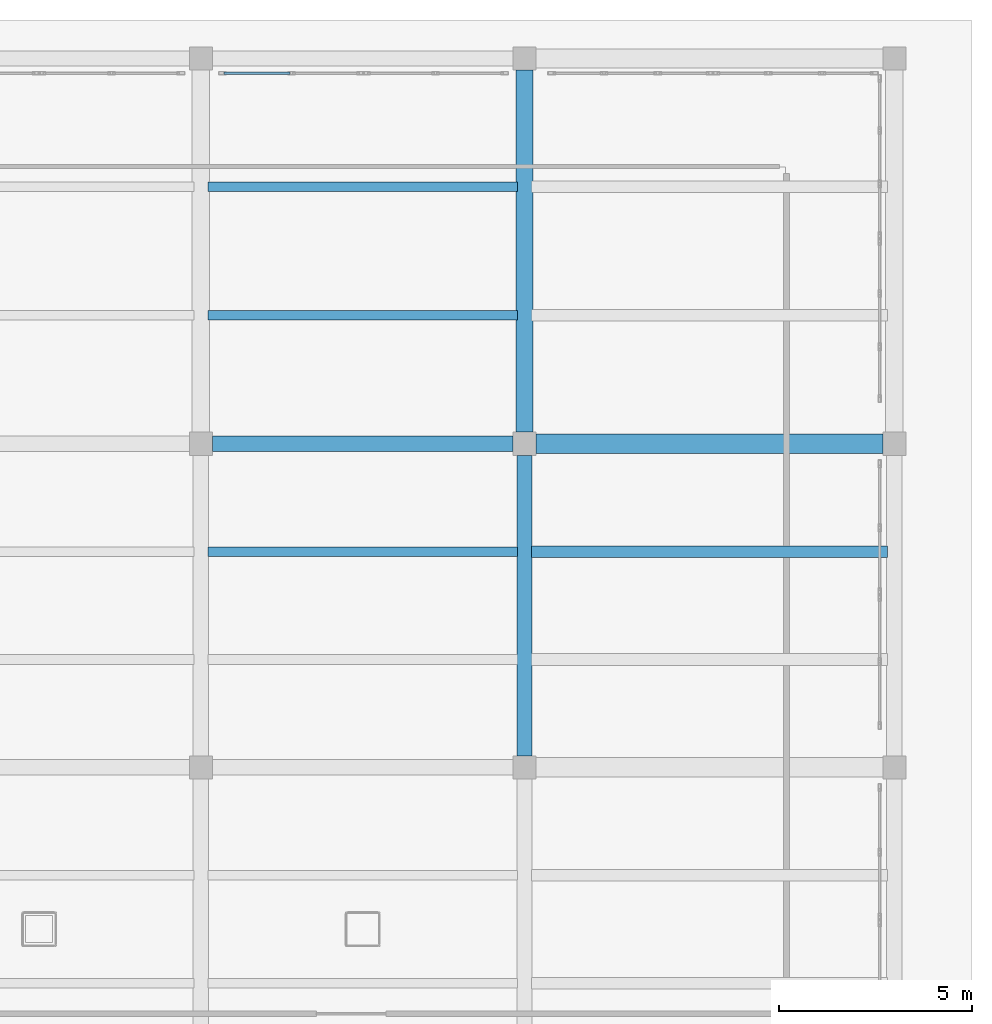
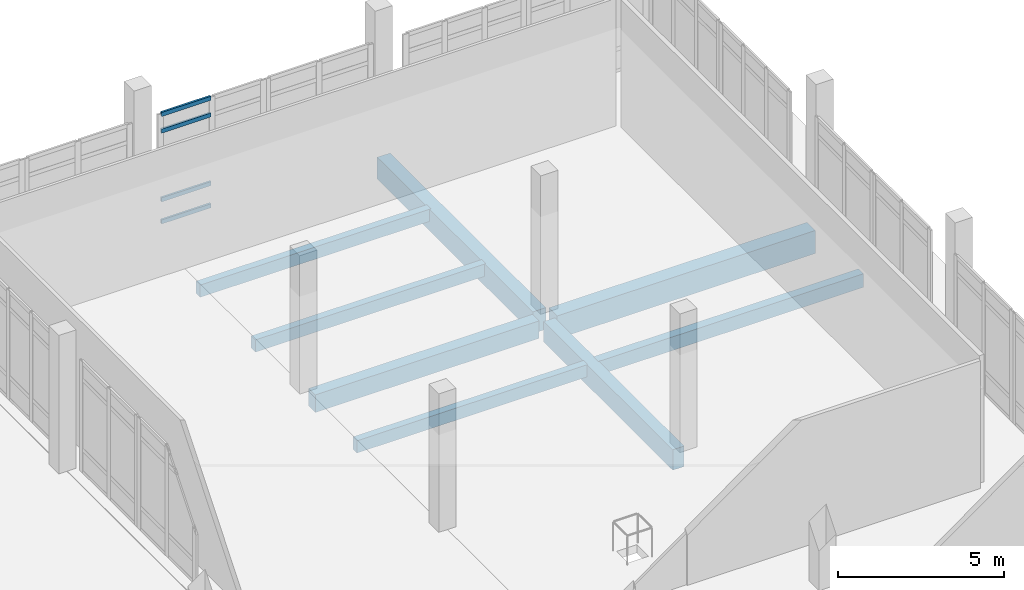
# One storey, part 32 of 64: 8 beams, 4 members, 1 element without a shape of its own.
"""IFC4 building model written with IfcOpenShell, lengths in metres."""

import ifcopenshell
import ifcopenshell.guid

model = None  # the IFC model being written
_history = None  # IfcOwnerHistory: only IFC2X3 demands one
_inside = {}  # id of a spatial element -> (the spatial element, [elements in it])
_under = {}  # id of a project, library or spatial element -> (it, [spatial elements below it])
_declared = {}  # id of a project -> (the project, [libraries it declares])
_typed = {}  # id of a type object -> (the type object, [elements of that type])
_made_of = {}  # id of a material, layer set ... -> (it, [elements and type objects made of it])


def new_model(schema):
    """Start an empty IFC model of exactly this schema.

    Asked for "IFC4X3", IfcOpenShell would pick the latest addendum, in which some entities
    have other attributes; the version numbers below select the first issue.
    IFC2X3 requires an IfcOwnerHistory on every rooted entity: one is made here for all.
    """
    global model, _history
    if schema == "IFC4X3":
        model = ifcopenshell.file(schema_version=(4, 3, 0, 0))
    else:
        model = ifcopenshell.file(schema=schema)
    _inside.clear()
    _under.clear()
    _declared.clear()
    _typed.clear()
    _made_of.clear()
    _history = None
    if model.schema == "IFC2X3":
        org = make("IfcOrganization", Name="unknown")
        user = make(
            "IfcPersonAndOrganization",
            ThePerson=make("IfcPerson", FamilyName="unknown"),
            TheOrganization=org,
        )
        app = make(
            "IfcApplication",
            ApplicationDeveloper=org,
            Version="unknown",
            ApplicationFullName="unknown",
            ApplicationIdentifier="unknown",
        )
        _history = make(
            "IfcOwnerHistory",
            OwningUser=user,
            OwningApplication=app,
            ChangeAction="ADDED",
            CreationDate=0,
        )
    return model


def make(cls, **values):
    """One entity of the class cls with the attributes given. An attribute that is None is left unset."""
    return model.create_entity(
        cls, **{name: value for name, value in values.items() if value is not None}
    )


def rooted(cls, **values):
    """An entity with a GlobalId (a new one), such as an element, a storey or a relation."""
    return make(cls, GlobalId=ifcopenshell.guid.new(), OwnerHistory=_history, **values)


def si_unit(unit_type, name, prefix=None):
    """IfcSIUnit, for example si_unit("LENGTHUNIT", "METRE", prefix="MILLI")."""
    return make("IfcSIUnit", UnitType=unit_type, Prefix=prefix, Name=name)


def derived_unit(unit_type, elements):
    """IfcDerivedUnit: a product of units, each with its exponent."""
    return make(
        "IfcDerivedUnit",
        Elements=[
            make("IfcDerivedUnitElement", Unit=unit, Exponent=power)
            for unit, power in elements
        ],
        UnitType=unit_type,
    )


def assignment(units):
    """IfcUnitAssignment: the units of a project."""
    return None if units is None else make("IfcUnitAssignment", Units=units)


def point(xyz):
    """IfcCartesianPoint."""
    return None if xyz is None else make("IfcCartesianPoint", Coordinates=xyz)


def direction(xyz):
    """IfcDirection."""
    return None if xyz is None else make("IfcDirection", DirectionRatios=xyz)


def frame(location, z_axis=None, x_axis=None):
    """IfcAxis2Placement3D, a coordinate frame: its origin and axes. An axis left out is left unset."""
    return make(
        "IfcAxis2Placement3D",
        Location=point(location),
        Axis=direction(z_axis),
        RefDirection=direction(x_axis),
    )


def frame_2d(location, x_axis=None):
    """IfcAxis2Placement2D, a coordinate frame in the plane: its origin and x axis."""
    return make(
        "IfcAxis2Placement2D", Location=point(location), RefDirection=direction(x_axis)
    )


def origin():
    """The frame at (0, 0, 0) with its axes left unset."""
    return frame((0.0, 0.0, 0.0))


def origin_2d():
    """The frame at (0, 0) in the plane with its x axis left unset."""
    return frame_2d((0.0, 0.0))


def place(relative_to, where):
    """IfcLocalPlacement: puts the frame where relative to a parent placement (None: the world)."""
    return make(
        "IfcLocalPlacement", PlacementRelTo=relative_to, RelativePlacement=where
    )


def context(
    kind, dimensions, precision=None, world=None, true_north=None, identifier=None
):
    """IfcGeometricRepresentationContext, for example the 3D "Model" context."""
    return make(
        "IfcGeometricRepresentationContext",
        ContextIdentifier=identifier,
        ContextType=kind,
        CoordinateSpaceDimension=dimensions,
        Precision=precision,
        WorldCoordinateSystem=world,
        TrueNorth=true_north,
    )


def subcontext(parent, identifier, kind, view, scale=None):
    """IfcGeometricRepresentationSubContext, for example "Body" below "Model"."""
    return make(
        "IfcGeometricRepresentationSubContext",
        ContextIdentifier=identifier,
        ContextType=kind,
        ParentContext=parent,
        TargetScale=scale,
        TargetView=view,
    )


def project(units=None, contexts=None):
    """IfcProject with its units and contexts."""
    return rooted(
        "IfcProject",
        Name="project",
        RepresentationContexts=contexts,
        UnitsInContext=assignment(units),
    )


def spatial(cls, under=None, at=None, **own):
    """A site, building, storey or space (cls), placed at a placement, below another one or the project."""
    s = rooted(cls, ObjectPlacement=at, **own)
    if under is not None:
        _under.setdefault(under.id(), (under, []))[1].append(s)
    return s


def profile(cls, at=None, kind="AREA", **sizes):
    """A parametric profile (cls). Its sizes go by their IFC names, for example OverallWidth=200.0."""
    return make(cls, ProfileType=kind, Position=at, **sizes)


def rectangle(**sizes):
    """IfcRectangleProfileDef."""
    return profile("IfcRectangleProfileDef", **sizes)


def hollow_rectangle(**sizes):
    """IfcRectangleHollowProfileDef."""
    return profile("IfcRectangleHollowProfileDef", **sizes)


def extrude(swept, where, along, depth):
    """IfcExtrudedAreaSolid: the profile swept, set in the frame where, extruded along a direction by depth."""
    return make(
        "IfcExtrudedAreaSolid",
        SweptArea=swept,
        Position=where,
        ExtrudedDirection=direction(along),
        Depth=depth,
    )


def shape(context_of_items, identifier, shape_type, items):
    """IfcShapeRepresentation: the items that make up one representation, for example the "Body"."""
    return make(
        "IfcShapeRepresentation",
        ContextOfItems=context_of_items,
        RepresentationIdentifier=identifier,
        RepresentationType=shape_type,
        Items=items,
    )


def material(Name=None, Category=None):
    """IfcMaterial."""
    return make("IfcMaterial", Name=Name, Category=Category)


def layer(
    of_material, thickness, ventilated=None, Name=None, Category=None, Priority=None
):
    """IfcMaterialLayer: one layer of a wall or slab, of a material (None: an air gap)."""
    return make(
        "IfcMaterialLayer",
        Material=of_material,
        LayerThickness=thickness,
        IsVentilated=ventilated,
        Name=Name,
        Category=Category,
        Priority=Priority,
    )


def layer_set(layers, Name=None):
    """IfcMaterialLayerSet."""
    return make("IfcMaterialLayerSet", MaterialLayers=layers, LayerSetName=Name)


def material_profile(
    of_material, cross_section, Name=None, Category=None, Priority=None
):
    """IfcMaterialProfile: a cross section and its material."""
    return make(
        "IfcMaterialProfile",
        Name=Name,
        Material=of_material,
        Profile=cross_section,
        Priority=Priority,
        Category=Category,
    )


def profile_set(profiles, Name=None, composite=None):
    """IfcMaterialProfileSet."""
    return make(
        "IfcMaterialProfileSet",
        Name=Name,
        MaterialProfiles=profiles,
        CompositeProfile=composite,
    )


def made_of(thing, what):
    """Note that an element or type object is made of a material, layer set ...; save() writes the relation."""
    if what is not None:
        _made_of.setdefault(what.id(), (what, []))[1].append(thing)
    return thing


def type_object(cls, material=None, **own):
    """A type object (cls), such as IfcWallType, which elements share."""
    return made_of(rooted(cls, **own), material)


def element(
    cls,
    number,
    at=None,
    inside=None,
    cuts=None,
    type_object=None,
    material=None,
    context=None,
    identifier="Body",
    shape_type=None,
    held_by="IfcProductDefinitionShape",
    body=None,
    shapes=None,
    **own,
):
    """One element of the class cls, such as IfcWall. Its Tag is "e" and its number.

    at: its placement. inside: the storey or other place that contains it. cuts: it is an
    opening in that element (IfcRelVoidsElement). A single representation is given by context,
    identifier, shape_type and body (its items); several are given by shapes. held_by: the class
    of the entity that holds the representations. save() writes the other relations.
    """
    e = rooted(cls, Tag="e%d" % number, ObjectPlacement=at, **own)
    if body is not None:
        shapes = [shape(context, identifier, shape_type, body)]
    if shapes is not None:
        e.Representation = make(held_by, Representations=shapes)
    if inside is not None:
        _inside.setdefault(inside.id(), (inside, []))[1].append(e)
    if cuts is not None:
        rooted(
            "IfcRelVoidsElement", RelatingBuildingElement=cuts, RelatedOpeningElement=e
        )
    if type_object is not None:
        _typed.setdefault(type_object.id(), (type_object, []))[1].append(e)
    return made_of(e, material)


def aggregate(whole, parts):
    """IfcRelAggregates: a whole, such as a stair, and the parts it consists of."""
    return rooted("IfcRelAggregates", RelatingObject=whole, RelatedObjects=parts)


def save(model, path):
    """Write the relations noted so far, then the file.

    IfcRelAggregates (storeys below a building ...), IfcRelContainedInSpatialStructure (elements
    in a storey), IfcRelDefinesByType, IfcRelAssociatesMaterial and IfcRelDeclares: one each for
    every whole, place, type object, material and project.
    """
    for whole, parts in _under.values():
        aggregate(whole, parts)
    for where, things in _inside.values():
        rooted(
            "IfcRelContainedInSpatialStructure",
            RelatedElements=things,
            RelatingStructure=where,
        )
    for kind, things in _typed.values():
        rooted("IfcRelDefinesByType", RelatedObjects=things, RelatingType=kind)
    for what, things in _made_of.values():
        rooted("IfcRelAssociatesMaterial", RelatedObjects=things, RelatingMaterial=what)
    for by, libraries in _declared.values():
        rooted("IfcRelDeclares", RelatingContext=by, RelatedDefinitions=libraries)
    model.write(path)


model = new_model("IFC4")

# Units and contexts
model_context = context("Model", 3, precision=1e-05, world=origin(), true_north=direction((0.0, 1.0)))
body_context = subcontext(model_context, "Body", "Model", "MODEL_VIEW")
ifc_project = project(units=[si_unit("LENGTHUNIT", "METRE"), si_unit("AREAUNIT", "SQUARE_METRE"), si_unit("VOLUMEUNIT", "CUBIC_METRE"), si_unit("PLANEANGLEUNIT", "RADIAN"), si_unit("MASSUNIT", "GRAM", prefix="KILO"), derived_unit("THERMALTRANSMITTANCEUNIT", [(si_unit("POWERUNIT", "WATT"), 1), (si_unit("LENGTHUNIT", "METRE"), -2), (si_unit("THERMODYNAMICTEMPERATUREUNIT", "KELVIN"), -1)])], contexts=[model_context])

# Site, building, storey
site_placement = place(None, origin())
site = spatial("IfcSite", under=ifc_project, at=site_placement, CompositionType="ELEMENT")
building_placement = place(site_placement, origin())
building = spatial("IfcBuilding", under=site, at=building_placement, Name="Elbkamm Science Centre", CompositionType="ELEMENT")
storey_placement = place(building_placement, origin())
storey = spatial("IfcBuildingStorey", under=building, at=storey_placement, Name="L00", CompositionType="ELEMENT", Elevation=0.0)

# Beams
ifc_material_1 = material(Name="Concrete C40/50", Category="concrete")
ifc_material_profile_1 = material_profile(ifc_material_1, rectangle(XDim=0.39990234375, YDim=0.64990234375, at=origin_2d()), Name="RC 400x650")
ifc_profile_set_1 = profile_set([ifc_material_profile_1], Name="Concrete C40/50")
beam_type_1 = type_object("IfcBeamType", Name="BM-RC-400x650", PredefinedType="BEAM", material=ifc_profile_set_1)
beam_1_placement = place(storey_placement, frame((143.10009765625, 100.800048828125, -0.625), z_axis=(1.0, 0.0, 0.0), x_axis=(0.0, 1.0, 0.0)))
element("IfcBeam", 1, at=beam_1_placement, inside=storey, type_object=beam_type_1, Name="L00 Primary X-Girder 090", PredefinedType="BEAM", context=body_context, shape_type="SweptSolid", body=[
    extrude(rectangle(XDim=0.39990234375, YDim=0.64990234375, at=origin_2d()), origin(), (0.0, 0.0, 1.0), 7.7998046875),
])
ifc_material_profile_2 = material_profile(ifc_material_1, rectangle(XDim=0.39990234375, YDim=0.75, at=origin_2d()), Name="RC 400x750")
ifc_profile_set_2 = profile_set([ifc_material_profile_2], Name="Concrete C40/50")
beam_type_2 = type_object("IfcBeamType", Name="BM-RC-400x750", PredefinedType="BEAM", material=ifc_profile_set_2)
beam_2_placement = place(storey_placement, frame((151.199951171875, 92.699951171875, -0.675048828125), z_axis=(0.0, 1.0, 0.0), x_axis=(-1.0, 0.0, 0.0)))
element("IfcBeam", 2, at=beam_2_placement, inside=storey, type_object=beam_type_2, Name="L00 Primary Y-Girder 076", PredefinedType="BEAM", context=body_context, shape_type="SweptSolid", body=[
    extrude(rectangle(XDim=0.39990234375, YDim=0.75, at=origin_2d()), origin(), (0.0, 0.0, 1.0), 7.800048828125),
])
ifc_material_profile_3 = material_profile(ifc_material_1, rectangle(XDim=0.449951171875, YDim=0.800048828125, at=origin_2d()), Name="RC 450x800")
ifc_profile_set_3 = profile_set([ifc_material_profile_3], Name="Concrete C40/50")
beam_type_3 = type_object("IfcBeamType", Name="BM-RC-450x800", PredefinedType="BEAM", material=ifc_profile_set_3)
beam_3_placement = place(storey_placement, frame((151.199951171875, 101.10009765625, -0.699951171875), z_axis=(0.0, 1.0, 0.0), x_axis=(-1.0, 0.0, 0.0)))
element("IfcBeam", 3, at=beam_3_placement, inside=storey, type_object=beam_type_3, Name="L00 Primary Y-Girder 077", PredefinedType="BEAM", context=body_context, shape_type="SweptSolid", body=[
    extrude(rectangle(XDim=0.449951171875, YDim=0.800048828125, at=origin_2d()), origin(), (0.0, 0.0, 1.0), 9.39990234375),
])
ifc_material_profile_4 = material_profile(ifc_material_1, rectangle(XDim=0.5, YDim=0.85009765625, at=origin_2d()), Name="RC 500x850")
ifc_profile_set_4 = profile_set([ifc_material_profile_4], Name="Concrete C40/50")
beam_type_4 = type_object("IfcBeamType", Name="BM-RC-500x850", PredefinedType="BEAM", material=ifc_profile_set_4)
beam_4_placement = place(storey_placement, frame((151.5, 100.800048828125, -0.72509765625), z_axis=(1.0, 0.0, 0.0), x_axis=(0.0, 1.0, 0.0)))
element("IfcBeam", 4, at=beam_4_placement, inside=storey, type_object=beam_type_4, Name="L00 Primary X-Girder 091", PredefinedType="BEAM", context=body_context, shape_type="SweptSolid", body=[
    extrude(rectangle(XDim=0.5, YDim=0.85009765625, at=origin_2d()), origin(), (0.0, 0.0, 1.0), 9.0),
])

# Curtain wall, members
ifc_material_2 = material(Name="Powder-coated aluminium and triple low-E glazing", Category="aluminium")
ifc_layer = layer(ifc_material_2, 0.159912109375)
ifc_layer_set = layer_set([ifc_layer], Name="Powder-coated aluminium and triple low-E glazing")
curtain_wall_type = type_object("IfcCurtainWallType", Name="CW-UNIT-3660x4040", PredefinedType="USERDEFINED", material=ifc_layer_set)
curtain_wall_placement = place(storey_placement, origin())
curtain_wall = element("IfcCurtainWall", 5, at=curtain_wall_placement, inside=storey, type_object=curtain_wall_type, Name="L00 Unitised Curtain Wall 110", ObjectType="UNITISED CURTAIN WALL", PredefinedType="USERDEFINED")
ifc_material_3 = material(Name="Powder-coated aluminium EN AW-6060", Category="aluminium")
ifc_material_profile_5 = material_profile(ifc_material_3, hollow_rectangle(XDim=0.070068359375, YDim=0.14990234375, WallThickness=0.00390625, at=origin_2d()), Name="ALU T70x150")
ifc_profile_set_5 = profile_set([ifc_material_profile_5], Name="Powder-coated aluminium EN AW-6060")
member_type = type_object("IfcMemberType", Name="CW-TRN-70x150", PredefinedType="USERDEFINED", material=ifc_profile_set_5)
member_1_placement = place(storey_placement, frame((143.396728515625, 110.419921875, 0.034912109375), z_axis=(1.0, 0.0, 0.0), x_axis=(0.0, 1.0, 0.0)))
member_1 = element("IfcMember", 6, at=member_1_placement, type_object=member_type, Name="CW-055 transom 1.1", ObjectType="TRANSOM", PredefinedType="USERDEFINED", context=body_context, shape_type="SweptSolid", body=[
    extrude(hollow_rectangle(XDim=0.070068359375, YDim=0.14990234375, WallThickness=0.00390625, at=origin_2d()), origin(), (0.0, 0.0, 1.0), 1.7216796875),
])
member_2_placement = place(storey_placement, frame((143.396728515625, 110.419921875, 0.85009765625), z_axis=(1.0, 0.0, 0.0), x_axis=(0.0, 1.0, 0.0)))
member_2 = element("IfcMember", 7, at=member_2_placement, type_object=member_type, Name="CW-055 transom 1.2", ObjectType="TRANSOM", PredefinedType="USERDEFINED", context=body_context, shape_type="SweptSolid", body=[
    extrude(hollow_rectangle(XDim=0.070068359375, YDim=0.14990234375, WallThickness=0.00390625, at=origin_2d()), origin(), (0.0, 0.0, 1.0), 1.7216796875),
])
member_3_placement = place(storey_placement, frame((143.396728515625, 110.419921875, 3.3798828125), z_axis=(1.0, 0.0, 0.0), x_axis=(0.0, 1.0, 0.0)))
member_3 = element("IfcMember", 8, at=member_3_placement, type_object=member_type, Name="CW-055 transom 1.3", ObjectType="TRANSOM", PredefinedType="USERDEFINED", context=body_context, shape_type="SweptSolid", body=[
    extrude(hollow_rectangle(XDim=0.070068359375, YDim=0.14990234375, WallThickness=0.00390625, at=origin_2d()), origin(), (0.0, 0.0, 1.0), 1.7216796875),
])
member_4_placement = place(storey_placement, frame((143.396728515625, 110.419921875, 3.9951171875), z_axis=(1.0, 0.0, 0.0), x_axis=(0.0, 1.0, 0.0)))
member_4 = element("IfcMember", 9, at=member_4_placement, type_object=member_type, Name="CW-055 transom 1.4", ObjectType="TRANSOM", PredefinedType="USERDEFINED", context=body_context, shape_type="SweptSolid", body=[
    extrude(hollow_rectangle(XDim=0.070068359375, YDim=0.14990234375, WallThickness=0.00390625, at=origin_2d()), origin(), (0.0, 0.0, 1.0), 1.7216796875),
])
aggregate(curtain_wall, [member_1, member_2, member_3, member_4])

# Beams
ifc_material_profile_6 = material_profile(ifc_material_1, rectangle(XDim=0.25, YDim=0.449951171875, at=origin_2d()), Name="RC 250x450")
ifc_profile_set_6 = profile_set([ifc_material_profile_6], Name="Concrete C40/50")
beam_type_5 = type_object("IfcBeamType", Name="JST-RC-250x450", PredefinedType="JOIST", material=ifc_profile_set_6)
for number, where, z_axis, x_axis, name in (
    (10, (142.97998046875, 98.0, -0.52490234375), (1.0, 0.0, 0.0), (0.0, 1.0, 0.0), "L00 Secondary Floor Joist 058"),
    (11, (142.97998046875, 104.13330078125, -0.52490234375), (1.0, 0.0, 0.0), (0.0, 1.0, 0.0), "L00 Secondary Floor Joist 059"),
    (12, (142.97998046875, 107.466796875, -0.52490234375), (1.0, 0.0, 0.0), (0.0, 1.0, 0.0), "L00 Secondary Floor Joist 060"),
):
    element("IfcBeam", number, at=place(storey_placement, frame(where, z_axis=z_axis, x_axis=x_axis)), inside=storey, type_object=beam_type_5, Name=name, PredefinedType="JOIST", context=body_context, shape_type="SweptSolid", body=[
        extrude(rectangle(XDim=0.25, YDim=0.449951171875, at=origin_2d()), origin(), (0.0, 0.0, 1.0), 8.0400390625),
    ])
ifc_material_profile_7 = material_profile(ifc_material_1, rectangle(XDim=0.300048828125, YDim=0.5, at=origin_2d()), Name="RC 300x500")
ifc_profile_set_7 = profile_set([ifc_material_profile_7], Name="Concrete C40/50")
beam_type_6 = type_object("IfcBeamType", Name="JST-RC-300x500", PredefinedType="JOIST", material=ifc_profile_set_7)
beam_5_placement = place(storey_placement, frame((151.3798828125, 98.0, -0.550048828125), z_axis=(1.0, 0.0, 0.0), x_axis=(0.0, 1.0, 0.0)))
element("IfcBeam", 13, at=beam_5_placement, inside=storey, type_object=beam_type_6, Name="L00 Secondary Floor Joist 078", PredefinedType="JOIST", context=body_context, shape_type="SweptSolid", body=[
    extrude(rectangle(XDim=0.300048828125, YDim=0.5, at=origin_2d()), origin(), (0.0, 0.0, 1.0), 9.240234375),
])

save(model, "model.ifc")
